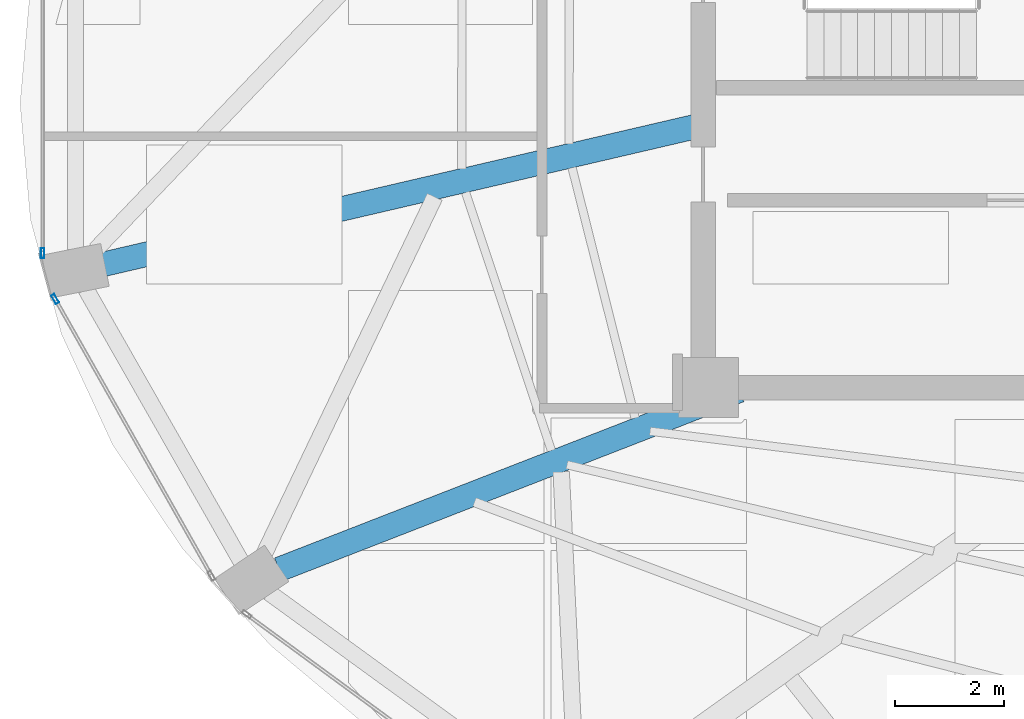
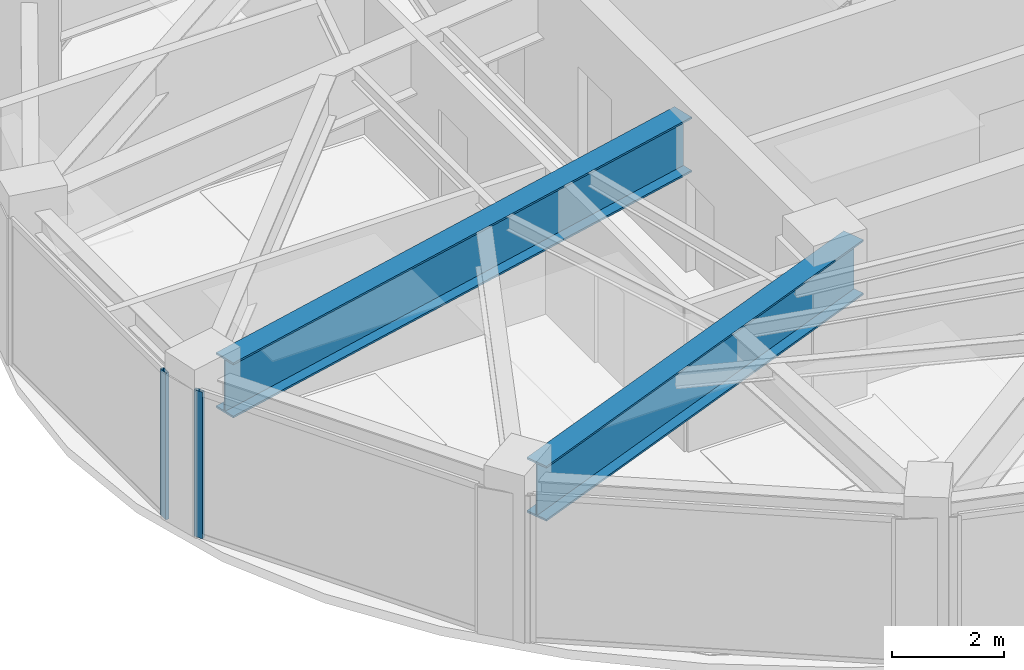
# One storey, part 4 of 23: 2 beams, 2 members, 2 elements without a shape of their own.
"""IFC4 building model written with IfcOpenShell, lengths in metres."""

from ifc_helpers import new_model, si_unit, direction, frame, origin, origin_2d, place, context, subcontext, project, spatial, hollow_rectangle, i_section, extrude, material, layer, layer_set, material_profile, profile_set, type_object, element, aggregate, save


model = new_model("IFC4")

# Units and contexts
model_context = context("Model", 3, precision=1e-05, world=origin(), true_north=direction((0.0, 1.0)))
body_context = subcontext(model_context, "Body", "Model", "MODEL_VIEW")
ifc_project = project(units=[si_unit("LENGTHUNIT", "METRE"), si_unit("AREAUNIT", "SQUARE_METRE"), si_unit("VOLUMEUNIT", "CUBIC_METRE"), si_unit("PLANEANGLEUNIT", "RADIAN"), si_unit("MASSUNIT", "GRAM", prefix="KILO")], contexts=[model_context])

# Site, building, storey
site_placement = place(None, origin())
site = spatial("IfcSite", under=ifc_project, at=site_placement, CompositionType="ELEMENT")
building_placement = place(site_placement, origin())
building = spatial("IfcBuilding", under=site, at=building_placement, Name="Lazwardi Medical Tower", CompositionType="ELEMENT")
storey_placement = place(building_placement, frame((0.0, 0.0, 265.968017578125)))
storey = spatial("IfcBuildingStorey", under=building, at=storey_placement, Name="L69", CompositionType="ELEMENT", Elevation=265.968017578125)

# Beams
ifc_material_1 = material(Name="Steel S460", Category="steel")
ifc_material_profile_1 = material_profile(ifc_material_1, i_section(OverallWidth=0.449951171875, OverallDepth=1.199951171875, WebThickness=0.02490234375, FlangeThickness=0.0400390625, at=origin_2d()), Name="PG 1200x450")
ifc_profile_set_1 = profile_set([ifc_material_profile_1], Name="Steel S460")
beam_type = type_object("IfcBeamType", Name="BM-TG-02", PredefinedType="BEAM", material=ifc_profile_set_1)
beam_1_placement = place(storey_placement, frame((15.336181640625, 22.658203125, 2.597900390625), z_axis=(0.974003443355, 0.226533203601, 0.0), x_axis=(-0.226533203601, 0.974003443355, 0.0)))
element("IfcBeam", 1, at=beam_1_placement, inside=storey, type_object=beam_type, Name="Transfer girder TG-02 M13 L69", PredefinedType="BEAM", context=body_context, shape_type="SweptSolid", body=[
    extrude(i_section(OverallWidth=0.449951171875, OverallDepth=1.199951171875, WebThickness=0.02490234375, FlangeThickness=0.0400390625, at=origin_2d()), origin(), (0.0, 0.0, 1.0), 11.205078125),
])
beam_2_placement = place(storey_placement, frame((18.538818359375, 17.071533203125, 2.597900390625), z_axis=(0.931927618697, 0.362644334728, 0.0), x_axis=(-0.362644334728, 0.931927618697, 0.0)))
element("IfcBeam", 2, at=beam_2_placement, inside=storey, type_object=beam_type, Name="Transfer girder TG-02 M14 L69", PredefinedType="BEAM", context=body_context, shape_type="SweptSolid", body=[
    extrude(i_section(OverallWidth=0.449951171875, OverallDepth=1.199951171875, WebThickness=0.02490234375, FlangeThickness=0.0400390625, at=origin_2d()), origin(), (0.0, 0.0, 1.0), 9.040771484375),
])

# Curtain wall, member
ifc_material_2 = material(Name="Anodised bronze aluminium and solar control glazing", Category="aluminium")
ifc_layer = layer(ifc_material_2, 0.18994140625)
ifc_layer_set = layer_set([ifc_layer], Name="Anodised bronze aluminium and solar control glazing")
curtain_wall_type = type_object("IfcCurtainWallType", Name="CW-SYS-04", PredefinedType="NOTDEFINED", material=ifc_layer_set)
curtain_wall_1_placement = place(storey_placement, origin())
curtain_wall_1 = element("IfcCurtainWall", 3, at=curtain_wall_1_placement, inside=storey, type_object=curtain_wall_type, Name="L69 Unitised bronze curtain wall CW-04", PredefinedType="NOTDEFINED")
ifc_material_3 = material(Name="Anodised bronze aluminium", Category="aluminium")
ifc_material_profile_2 = material_profile(ifc_material_3, hollow_rectangle(XDim=0.06494140625, YDim=0.179931640625, WallThickness=0.00390625, at=origin_2d()), Name="ALU-MULLION 180x65x4")
ifc_profile_set_2 = profile_set([ifc_material_profile_2], Name="Anodised bronze aluminium")
member_type = type_object("IfcMemberType", Name="CW-MUL-03", PredefinedType="MULLION", material=ifc_profile_set_2)
member_1_placement = place(storey_placement, frame((14.2158203125, 22.859619140625, 0.0), z_axis=(0.0, 0.0, 1.0), x_axis=(1.0, 0.0, 0.0)))
member_1 = element("IfcMember", 4, at=member_1_placement, type_object=member_type, Name="CW-04 mullion 2", PredefinedType="MULLION", context=body_context, shape_type="SweptSolid", body=[
    extrude(hollow_rectangle(XDim=0.06494140625, YDim=0.179931640625, WallThickness=0.00390625, at=origin_2d()), origin(), (0.0, 0.0, 1.0), 3.197998046875),
])
aggregate(curtain_wall_1, [member_1])

curtain_wall_2_placement = place(storey_placement, origin())
curtain_wall_2 = element("IfcCurtainWall", 5, at=curtain_wall_2_placement, inside=storey, type_object=curtain_wall_type, Name="L69 Unitised bronze curtain wall CW-04", PredefinedType="NOTDEFINED")
member_2_placement = place(storey_placement, frame((14.442626953125, 22.021728515625, 0.0), z_axis=(0.0, 0.0, 1.0), x_axis=(0.870651436011, 0.491900474661, 0.0)))
member_2 = element("IfcMember", 6, at=member_2_placement, type_object=member_type, Name="CW-04 mullion 1", PredefinedType="MULLION", context=body_context, shape_type="SweptSolid", body=[
    extrude(hollow_rectangle(XDim=0.06494140625, YDim=0.179931640625, WallThickness=0.00390625, at=origin_2d()), origin(), (0.0, 0.0, 1.0), 3.197998046875),
])
aggregate(curtain_wall_2, [member_2])

save(model, "model.ifc")
